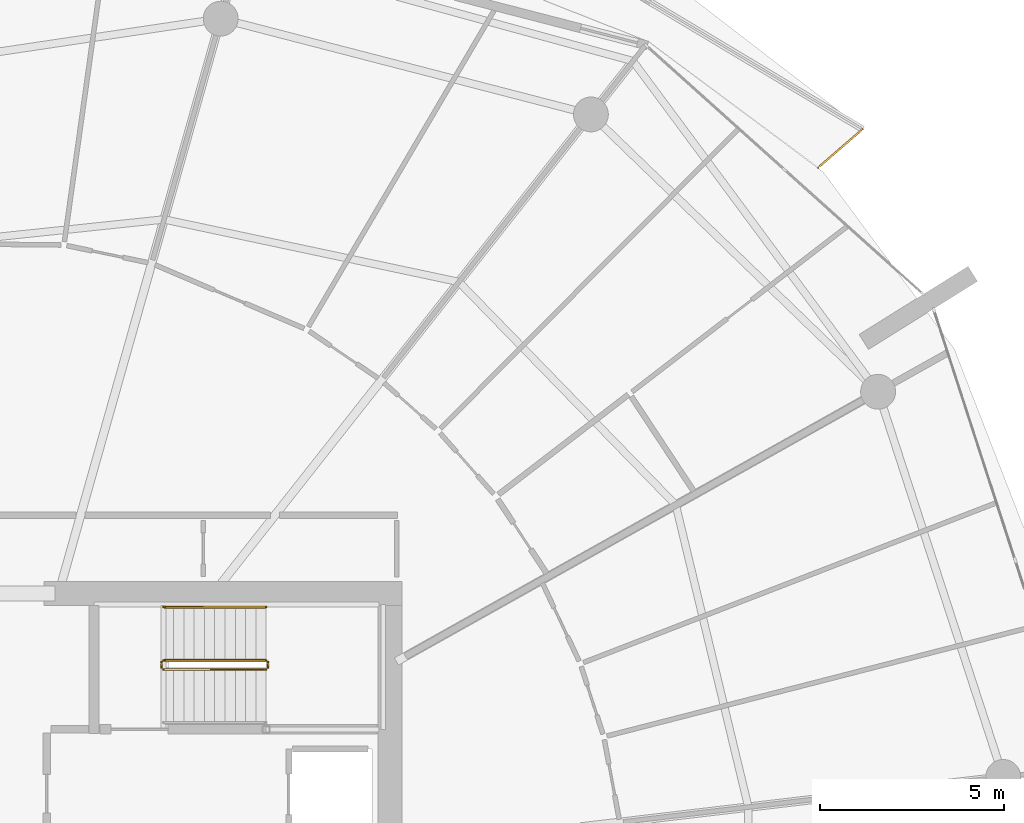
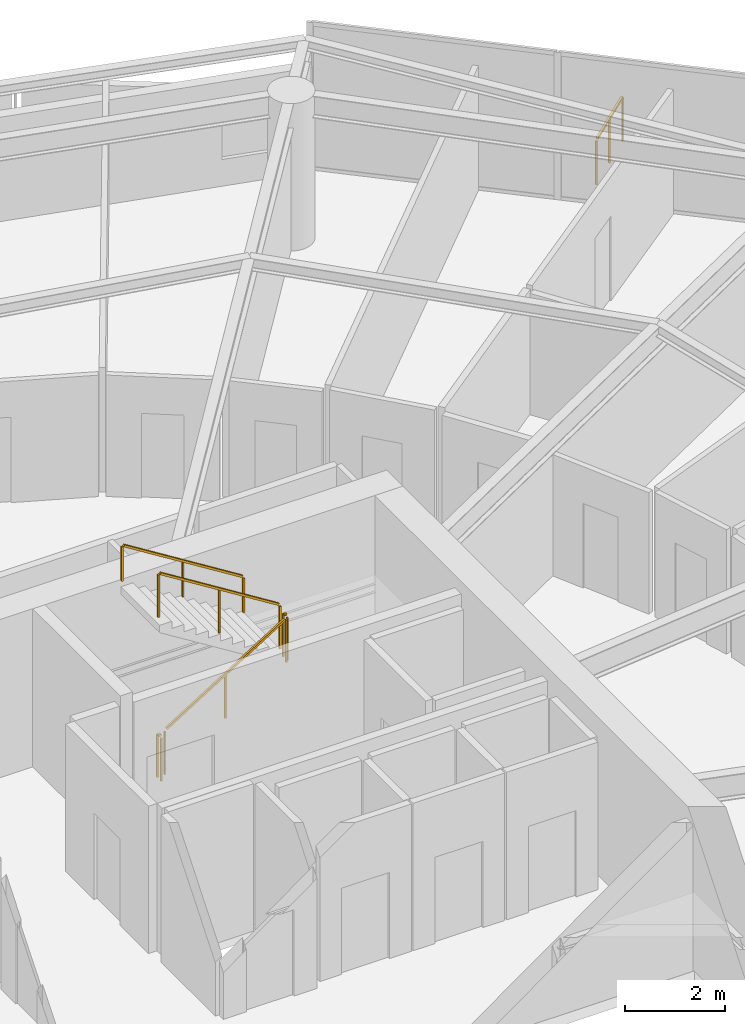
# One storey, part 30 of 31: 6 railings.
"""IFC4 building model written with IfcOpenShell, lengths in metres."""

from ifc_helpers import new_model, si_unit, direction, frame, origin, origin_2d, place, context, subcontext, project, spatial, rectangle, extrude, material, type_object, element, save


model = new_model("IFC4")

# Units and contexts
model_context = context("Model", 3, precision=1e-05, world=origin(), true_north=direction((0.0, 1.0)))
body_context = subcontext(model_context, "Body", "Model", "MODEL_VIEW")
ifc_project = project(units=[si_unit("LENGTHUNIT", "METRE"), si_unit("AREAUNIT", "SQUARE_METRE"), si_unit("VOLUMEUNIT", "CUBIC_METRE"), si_unit("PLANEANGLEUNIT", "RADIAN"), si_unit("MASSUNIT", "GRAM", prefix="KILO")], contexts=[model_context])

# Site, building, storey
site_placement = place(None, origin())
site = spatial("IfcSite", under=ifc_project, at=site_placement, CompositionType="ELEMENT")
building_placement = place(site_placement, origin())
building = spatial("IfcBuilding", under=site, at=building_placement, Name="Kazma Halo Residences", CompositionType="ELEMENT")
storey_placement = place(building_placement, frame((0.0, 0.0, 248.25)))
storey = spatial("IfcBuildingStorey", under=building, at=storey_placement, Name="L62", CompositionType="ELEMENT", Elevation=248.25)

# Railings
ifc_material_1 = material(Name="Aluminium AW-6063 T6 Brushed Cap Rail", Category="aluminium")
railing_type_1 = type_object("IfcRailingType", Name="RLG-BAL-CAP-1120", PredefinedType="BALUSTRADE", material=ifc_material_1)
railing_1_placement = place(storey_placement, frame((71.0400390625, 61.9228515625, 0.0)))
element("IfcRailing", 1, at=railing_1_placement, inside=storey, type_object=railing_type_1, Name="L62 NE wave balcony guard 1", PredefinedType="BALUSTRADE", context=body_context, shape_type="SweptSolid", body=[
    extrude(rectangle(XDim=0.050048828125, YDim=0.050048828125, at=origin_2d()), frame((0.0322265625, 0.02783203125, 1.09521484375), z_axis=(0.756483466275, 0.654012817346, 0.0), x_axis=(-0.654012817346, 0.756483466275, 0.0)), (0.0, 0.0, 1.0), 1.515869140625),
    extrude(rectangle(XDim=0.0400390625, YDim=0.0400390625, at=origin_2d()), origin(), (0.0, 0.0, 1.0), 1.05810546875),
    extrude(rectangle(XDim=0.0400390625, YDim=0.0400390625, at=origin_2d()), frame((0.60546875, 0.5234375, 0.0)), (0.0, 0.0, 1.0), 1.05810546875),
    extrude(rectangle(XDim=0.0400390625, YDim=0.0400390625, at=origin_2d()), frame((1.211181640625, 1.047119140625, 0.0)), (0.0, 0.0, 1.0), 1.05810546875),
])
ifc_material_2 = material(Name="Painted Steel S355", Category="steel")
railing_type_2 = type_object("IfcRailingType", Name="RLG-STAIR-GRD-1100", PredefinedType="GUARDRAIL", material=ifc_material_2)
railing_2_placement = place(storey_placement, frame((53.199951171875, 48.25, 0.175048828125)))
element("IfcRailing", 2, at=railing_2_placement, inside=storey, type_object=railing_type_2, Name="L62 ST-02 stair guard 1", PredefinedType="GUARDRAIL", context=body_context, shape_type="SweptSolid", body=[
    extrude(rectangle(XDim=0.050048828125, YDim=0.050048828125, at=origin_2d()), frame((0.0361328125, 0.0, 1.09765625), z_axis=(0.848002457836, 0.0, 0.529992293815), x_axis=(0.0, 1.0, 0.0)), (0.0, 0.0, 1.0), 3.216796875),
    extrude(rectangle(XDim=0.0400390625, YDim=0.0400390625, at=origin_2d()), origin(), (0.0, 0.0, 1.0), 1.0380859375),
    extrude(rectangle(XDim=0.0400390625, YDim=0.0400390625, at=origin_2d()), frame((1.39990234375, 0.0, 0.875)), (0.0, 0.0, 1.0), 1.0380859375),
    extrude(rectangle(XDim=0.0400390625, YDim=0.0400390625, at=origin_2d()), frame((2.800048828125, 0.0, 1.75)), (0.0, 0.0, 1.0), 1.0380859375),
])
railing_3_placement = place(storey_placement, frame((56.050048828125, 48.300048828125, 1.925048828125)))
element("IfcRailing", 3, at=railing_3_placement, inside=storey, type_object=railing_type_2, Name="L62 ST-02 stair guard 2", PredefinedType="GUARDRAIL", context=body_context, shape_type="SweptSolid", body=[
    extrude(rectangle(XDim=0.050048828125, YDim=0.050048828125, at=origin_2d()), frame((0.0, 0.04248046875, 1.0751953125), z_axis=(0.0, 1.0, 0.0), x_axis=(-1.0, 0.0, 0.0)), (0.0, 0.0, 1.0), 0.06494140625),
    extrude(rectangle(XDim=0.0400390625, YDim=0.0400390625, at=origin_2d()), origin(), (0.0, 0.0, 1.0), 1.0380859375),
    extrude(rectangle(XDim=0.0400390625, YDim=0.0400390625, at=origin_2d()), frame((0.0, 0.14990234375, 0.0)), (0.0, 0.0, 1.0), 1.0380859375),
])
railing_4_placement = place(storey_placement, frame((56.0, 48.5, 2.10009765625)))
element("IfcRailing", 4, at=railing_4_placement, inside=storey, type_object=railing_type_2, Name="L62 ST-02 stair guard 3", PredefinedType="GUARDRAIL", context=body_context, shape_type="SweptSolid", body=[
    extrude(rectangle(XDim=0.050048828125, YDim=0.050048828125, at=origin_2d()), frame((-0.0361328125, 0.0, 1.09765625), z_axis=(-0.848002457836, 0.0, 0.529992293815), x_axis=(0.0, -1.0, 0.0)), (0.0, 0.0, 1.0), 3.216796875),
    extrude(rectangle(XDim=0.0400390625, YDim=0.0400390625, at=origin_2d()), origin(), (0.0, 0.0, 1.0), 1.0380859375),
    extrude(rectangle(XDim=0.0400390625, YDim=0.0400390625, at=origin_2d()), frame((-1.39990234375, 0.0, 0.875)), (0.0, 0.0, 1.0), 1.0380859375),
    extrude(rectangle(XDim=0.0400390625, YDim=0.0400390625, at=origin_2d()), frame((-2.800048828125, 0.0, 1.75)), (0.0, 0.0, 1.0), 1.0380859375),
])
railing_5_placement = place(storey_placement, frame((53.14990234375, 48.300048828125, 0.0)))
element("IfcRailing", 5, at=railing_5_placement, inside=storey, type_object=railing_type_2, Name="L62 ST-02 stair guard 4", PredefinedType="GUARDRAIL", context=body_context, shape_type="SweptSolid", body=[
    extrude(rectangle(XDim=0.050048828125, YDim=0.050048828125, at=origin_2d()), frame((0.0, 0.04248046875, 1.0751953125), z_axis=(0.0, 1.0, 0.0), x_axis=(-1.0, 0.0, 0.0)), (0.0, 0.0, 1.0), 0.06494140625),
    extrude(rectangle(XDim=0.0400390625, YDim=0.0400390625, at=origin_2d()), origin(), (0.0, 0.0, 1.0), 1.0380859375),
    extrude(rectangle(XDim=0.0400390625, YDim=0.0400390625, at=origin_2d()), frame((0.0, 0.14990234375, 0.0)), (0.0, 0.0, 1.0), 1.0380859375),
])
ifc_material_3 = material(Name="Brushed Stainless Steel", Category="steel")
railing_type_3 = type_object("IfcRailingType", Name="RLG-STAIR-HND-900", PredefinedType="HANDRAIL", material=ifc_material_3)
railing_6_placement = place(storey_placement, frame((56.0, 49.949951171875, 2.10009765625)))
element("IfcRailing", 6, at=railing_6_placement, inside=storey, type_object=railing_type_3, Name="L62 ST-02 stair handrail 2", PredefinedType="HANDRAIL", context=body_context, shape_type="SweptSolid", body=[
    extrude(rectangle(XDim=0.050048828125, YDim=0.050048828125, at=origin_2d()), frame((-0.0361328125, 0.0, 0.8974609375), z_axis=(-0.848002457836, 0.0, 0.529992293815), x_axis=(0.0, -1.0, 0.0)), (0.0, 0.0, 1.0), 3.216796875),
    extrude(rectangle(XDim=0.0400390625, YDim=0.0400390625, at=origin_2d()), origin(), (0.0, 0.0, 1.0), 0.837890625),
    extrude(rectangle(XDim=0.0400390625, YDim=0.0400390625, at=origin_2d()), frame((-1.39990234375, 0.0, 0.875)), (0.0, 0.0, 1.0), 0.837890625),
    extrude(rectangle(XDim=0.0400390625, YDim=0.0400390625, at=origin_2d()), frame((-2.800048828125, 0.0, 1.75)), (0.0, 0.0, 1.0), 0.837890625),
])

save(model, "model.ifc")
